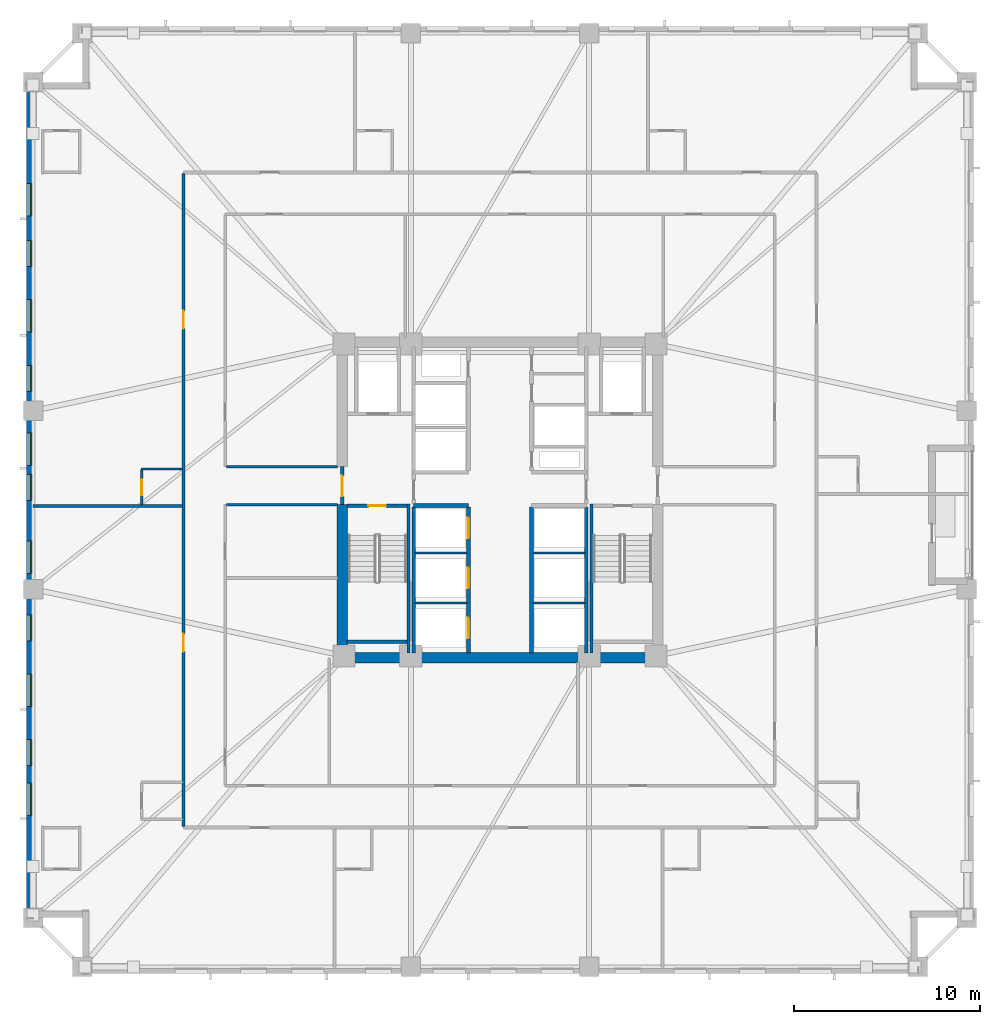
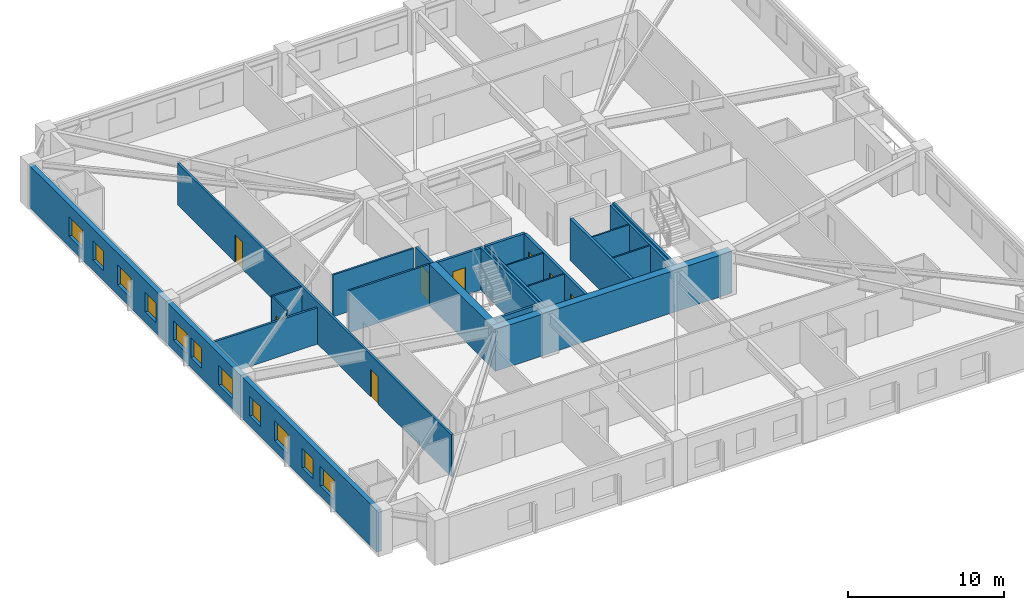
# One storey, part 3 of 11: 23 walls, 11 windows, 8 doors, 19 openings.
"""IFC4 building model written with IfcOpenShell, lengths in metres."""

from ifc_helpers import new_model, si_unit, direction, frame, frame_2d, origin, place, context, subcontext, project, spatial, rectangle, extrude, material, layer, layer_set, type_object, element, fill, save


model = new_model("IFC4")

# Units and contexts
model_context = context("Model", 3, precision=1e-05, world=origin(), true_north=direction((0.0, 1.0)))
body_context = subcontext(model_context, "Body", "Model", "MODEL_VIEW")
ifc_project = project(units=[si_unit("LENGTHUNIT", "METRE"), si_unit("AREAUNIT", "SQUARE_METRE"), si_unit("VOLUMEUNIT", "CUBIC_METRE"), si_unit("PLANEANGLEUNIT", "RADIAN"), si_unit("MASSUNIT", "GRAM", prefix="KILO")], contexts=[model_context])

# Site, building, storey
site_placement = place(None, origin())
site = spatial("IfcSite", under=ifc_project, at=site_placement, CompositionType="ELEMENT")
building_placement = place(site_placement, origin())
building = spatial("IfcBuilding", under=site, at=building_placement, Name="Cairnveth Concourse Tower", CompositionType="ELEMENT")
storey_placement = place(building_placement, frame((0.0, 0.0, 65.5)))
storey = spatial("IfcBuildingStorey", under=building, at=storey_placement, Name="L17", CompositionType="ELEMENT", Elevation=65.5)

# Wall, openings, doors
ifc_material_1 = material(Name="Gypsum Plasterboard Partition", Category="gypsum")
ifc_layer_1 = layer(ifc_material_1, 0.159912109375)
ifc_layer_set_1 = layer_set([ifc_layer_1], Name="Gypsum Plasterboard Partition")
wall_type_1 = type_object("IfcWallType", Name="ACOUSTIC PARTY WALL 180", PredefinedType="PARTITIONING", material=ifc_layer_set_1)
wall_1_placement = place(storey_placement, frame((34.949951171875, 21.4150390625, 0.0), z_axis=(0.0, 0.0, 1.0), x_axis=(0.0, 1.0, 0.0)))
wall_1 = element("IfcWall", 1, at=wall_1_placement, inside=storey, type_object=wall_type_1, Name="Interior Wall IW-L17-040", PredefinedType="PARTITIONING", context=body_context, shape_type="SweptSolid", body=[
    extrude(rectangle(XDim=35.169921875, YDim=0.159912109375, at=frame_2d((17.5849609375, 0.0))), origin(), (0.0, 0.0, 1.0), 3.280029296875),
])
opening_1_placement = place(wall_1_placement, frame((9.414306640625, 0.0, 0.0)))
opening_1 = element("IfcOpeningElement", 2, at=opening_1_placement, cuts=wall_1, Name="Opening ID09", PredefinedType="OPENING", context=body_context, shape_type="SweptSolid", body=[
    extrude(rectangle(XDim=0.9599609375, YDim=2.14990234375, at=frame_2d((0.47998046875, 1.074951171875))), frame((0.0, 0.08984375, 0.0), z_axis=(0.0, -1.0, 0.0), x_axis=(1.0, 0.0, 0.0)), (0.0, 0.0, 1.0), 0.179931640625),
])
opening_2_placement = place(wall_1_placement, frame((26.814208984375, 0.0, 0.0)))
opening_2 = element("IfcOpeningElement", 3, at=opening_2_placement, cuts=wall_1, Name="Opening ID09", PredefinedType="OPENING", context=body_context, shape_type="SweptSolid", body=[
    extrude(rectangle(XDim=0.9599609375, YDim=2.14990234375, at=frame_2d((0.47998046875, 1.074951171875))), frame((0.0, 0.08984375, 0.0), z_axis=(0.0, -1.0, 0.0), x_axis=(1.0, 0.0, 0.0)), (0.0, 0.0, 1.0), 0.179931640625),
])
ifc_material_2 = material(Name="Solid Core Hardwood Timber Leaf", Category="wood")
door_type_1 = type_object("IfcDoorType", Name="HOTEL ENTRANCE DOOR 960X2150", OperationType="NOTDEFINED", PredefinedType="DOOR", material=ifc_material_2)
door_1_placement = place(opening_1_placement, origin())
door_1 = element("IfcDoor", 4, at=door_1_placement, inside=storey, type_object=door_type_1, Name="Hotel Room Door L17-W1", OperationType="SINGLE_SWING_RIGHT", OverallHeight=2.14990234375, OverallWidth=0.9599609375, PredefinedType="DOOR", context=body_context, shape_type="SweptSolid", body=[
    extrude(rectangle(XDim=0.9599609375, YDim=2.14990234375, at=frame_2d((0.47998046875, 1.074951171875))), frame((0.0, 0.02490234375, 0.0), z_axis=(0.0, -1.0, 0.0), x_axis=(1.0, 0.0, 0.0)), (0.0, 0.0, 1.0), 0.050048828125),
])
fill(opening_1, door_1)
door_2_placement = place(opening_2_placement, origin())
door_2 = element("IfcDoor", 5, at=door_2_placement, inside=storey, type_object=door_type_1, Name="Hotel Room Door L17-W2", OperationType="SINGLE_SWING_RIGHT", OverallHeight=2.14990234375, OverallWidth=0.9599609375, PredefinedType="DOOR", context=body_context, shape_type="SweptSolid", body=[
    extrude(rectangle(XDim=0.9599609375, YDim=2.14990234375, at=frame_2d((0.47998046875, 1.074951171875))), frame((0.0, 0.02490234375, 0.0), z_axis=(0.0, -1.0, 0.0), x_axis=(1.0, 0.0, 0.0)), (0.0, 0.0, 1.0), 0.050048828125),
])
fill(opening_2, door_2)

# Walls
wall_2_placement = place(storey_placement, frame((26.844970703125, 38.66845703125, 0.0), z_axis=(0.0, 0.0, 1.0), x_axis=(1.0, 0.0, 0.0)))
element("IfcWall", 6, at=wall_2_placement, inside=storey, type_object=wall_type_1, Name="Interior Wall IW-L17-080", PredefinedType="PARTITIONING", context=body_context, shape_type="SweptSolid", body=[
    extrude(rectangle(XDim=8.0400390625, YDim=0.159912109375, at=frame_2d((4.02001953125, 0.0))), origin(), (0.0, 0.0, 1.0), 2.84912109375),
])
ifc_material_3 = material(Name="Concrete N80 (80 MPa)", Category="concrete")
ifc_layer_2 = layer(ifc_material_3, 0.550048828125)
ifc_layer_set_2 = layer_set([ifc_layer_2], Name="Concrete N80 (80 MPa)")
wall_type_2 = type_object("IfcWallType", Name="CORE SHEAR WALL 550", PredefinedType="SHEAR", material=ifc_layer_set_2)
wall_3_placement = place(storey_placement, frame((43.22509765625, 30.5, 0.0), z_axis=(0.0, 0.0, 1.0), x_axis=(1.0, 0.0, 0.0)))
element("IfcWall", 7, at=wall_3_placement, inside=storey, type_object=wall_type_2, Name="Core South Shear Wall L17", PredefinedType="SHEAR", context=body_context, shape_type="SweptSolid", body=[
    extrude(rectangle(XDim=17.5498046875, YDim=0.550048828125, at=frame_2d((8.77490234375, 0.0))), origin(), (0.0, 0.0, 1.0), 3.280029296875),
])
wall_4_placement = place(storey_placement, frame((43.5, 30.764892578125, 0.0), z_axis=(0.0, 0.0, 1.0), x_axis=(0.0, 1.0, 0.0)))
element("IfcWall", 8, at=wall_4_placement, inside=storey, type_object=wall_type_2, Name="Core West Shear Wall S L17", PredefinedType="SHEAR", context=body_context, shape_type="SweptSolid", body=[
    extrude(rectangle(XDim=7.985107421875, YDim=0.550048828125, at=frame_2d((3.99267578125, 0.0))), origin(), (0.0, 0.0, 1.0), 3.280029296875),
])
ifc_material_4 = material(Name="Concrete N50 (50 MPa)", Category="concrete")
ifc_layer_3 = layer(ifc_material_4, 0.179931640625)
ifc_layer_set_3 = layer_set([ifc_layer_3], Name="Concrete N50 (50 MPa)")
wall_type_3 = type_object("IfcWallType", Name="FIRE SHAFT WALL 180", PredefinedType="SOLIDWALL", material=ifc_layer_set_3)
for number, where, z_axis, x_axis, name in (
    (9, (47.35009765625, 30.760009765625, 0.0), (0.0, 0.0, 1.0), (0.0, 1.0, 0.0), "Interior Wall IW-L17-025"),
    (10, (56.64990234375, 30.760009765625, 0.0), (0.0, 0.0, 1.0), (0.0, 1.0, 0.0), "Interior Wall IW-L17-028"),
):
    element("IfcWall", number, at=place(storey_placement, frame(where, z_axis=z_axis, x_axis=x_axis)), inside=storey, type_object=wall_type_3, Name=name, PredefinedType="SOLIDWALL", context=body_context, shape_type="SweptSolid", body=[
        extrude(rectangle(XDim=7.85498046875, YDim=0.179931640625, at=frame_2d((3.927490234375, 0.0))), origin(), (0.0, 0.0, 1.0), 3.280029296875),
    ])

# Wall, opening, door
wall_5_placement = place(storey_placement, frame((43.764892578125, 38.68994140625, 0.0), z_axis=(0.0, 0.0, 1.0), x_axis=(1.0, 0.0, 0.0)))
wall_5 = element("IfcWall", 11, at=wall_5_placement, inside=storey, type_object=wall_type_3, Name="Stair ST-1 Shaft Wall NEAR L17", PredefinedType="SOLIDWALL", context=body_context, shape_type="SweptSolid", body=[
    extrude(rectangle(XDim=3.230224609375, YDim=0.179931640625, at=frame_2d((1.615234375, 0.0))), origin(), (0.0, 0.0, 1.0), 3.280029296875),
])
opening_3_placement = place(wall_5_placement, frame((1.139892578125, 0.0, 0.0)))
opening_3 = element("IfcOpeningElement", 12, at=opening_3_placement, cuts=wall_5, Name="Opening ID12", PredefinedType="OPENING", context=body_context, shape_type="SweptSolid", body=[
    extrude(rectangle(XDim=0.949951171875, YDim=2.14990234375, at=frame_2d((0.47509765625, 1.074951171875))), frame((0.0, 0.099853515625, 0.0), z_axis=(0.0, -1.0, 0.0), x_axis=(1.0, 0.0, 0.0)), (0.0, 0.0, 1.0), 0.199951171875),
])
ifc_material_5 = material(Name="Steel Grade 350", Category="steel")
door_type_2 = type_object("IfcDoorType", Name="FIRE STAIR DOOR 950X2150", OperationType="NOTDEFINED", PredefinedType="DOOR", material=ifc_material_5)
door_3_placement = place(opening_3_placement, origin())
door_3 = element("IfcDoor", 13, at=door_3_placement, inside=storey, type_object=door_type_2, Name="Stair ST-1 Fire Door L17", OperationType="SINGLE_SWING_LEFT", OverallHeight=2.14990234375, OverallWidth=0.949951171875, PredefinedType="DOOR", context=body_context, shape_type="SweptSolid", body=[
    extrude(rectangle(XDim=0.949951171875, YDim=2.14990234375, at=frame_2d((0.47509765625, 1.074951171875))), frame((0.0, 0.02490234375, 0.0), z_axis=(0.0, -1.0, 0.0), x_axis=(1.0, 0.0, 0.0)), (0.0, 0.0, 1.0), 0.050048828125),
])
fill(opening_3, door_3)

# Walls
wall_6_placement = place(storey_placement, frame((43.764892578125, 31.360107421875, 0.0), z_axis=(0.0, 0.0, 1.0), x_axis=(1.0, 0.0, 0.0)))
element("IfcWall", 14, at=wall_6_placement, inside=storey, type_object=wall_type_3, Name="Stair ST-1 Shaft Wall FAR L17", PredefinedType="SOLIDWALL", context=body_context, shape_type="SweptSolid", body=[
    extrude(rectangle(XDim=3.230224609375, YDim=0.179931640625, at=frame_2d((1.615234375, 0.0))), origin(), (0.0, 0.0, 1.0), 3.280029296875),
])
for number, where, z_axis, x_axis, name in (
    (15, (47.070068359375, 38.780029296875, 0.0), (0.0, 0.0, 1.0), (0.0, -1.0, 0.0), "Stair ST-1 Shaft Wall RGHT L17"),
    (16, (56.929931640625, 38.780029296875, 0.0), (0.0, 0.0, 1.0), (0.0, -1.0, 0.0), "Stair ST-2 Shaft Wall LEFT L17"),
):
    element("IfcWall", number, at=place(storey_placement, frame(where, z_axis=z_axis, x_axis=x_axis)), inside=storey, type_object=wall_type_3, Name=name, PredefinedType="SOLIDWALL", context=body_context, shape_type="SweptSolid", body=[
        extrude(rectangle(XDim=8.01708984375, YDim=0.179931640625, at=frame_2d((4.008544921875, 0.0))), origin(), (0.0, 0.0, 1.0), 3.280029296875),
    ])
ifc_layer_4 = layer(ifc_material_4, 0.199951171875)
ifc_layer_set_4 = layer_set([ifc_layer_4], Name="Concrete N50 (50 MPa)")
wall_type_4 = type_object("IfcWallType", Name="FIRE SHAFT WALL 200", PredefinedType="SOLIDWALL", material=ifc_layer_set_4)
wall_7_placement = place(storey_placement, frame((47.35009765625, 38.699951171875, 0.0), z_axis=(0.0, 0.0, 1.0), x_axis=(1.0, 0.0, 0.0)))
element("IfcWall", 17, at=wall_7_placement, inside=storey, type_object=wall_type_4, Name="Interior Wall IW-L17-007", PredefinedType="SOLIDWALL", context=body_context, shape_type="SweptSolid", body=[
    extrude(rectangle(XDim=2.949951171875, YDim=0.199951171875, at=frame_2d((1.47509765625, 0.0))), origin(), (0.0, 0.0, 1.0), 3.280029296875),
])

# Wall, openings, doors
wall_8_placement = place(storey_placement, frame((50.300048828125, 30.760009765625, 0.0), z_axis=(0.0, 0.0, 1.0), x_axis=(0.0, 1.0, 0.0)))
wall_8 = element("IfcWall", 18, at=wall_8_placement, inside=storey, type_object=wall_type_4, Name="Interior Wall IW-L17-011", PredefinedType="SOLIDWALL", context=body_context, shape_type="SweptSolid", body=[
    extrude(rectangle(XDim=7.85498046875, YDim=0.199951171875, at=frame_2d((3.927490234375, 0.0))), origin(), (0.0, 0.0, 1.0), 3.280029296875),
])
opening_4_placement = place(wall_8_placement, frame((0.7900390625, 0.0, 0.0)))
opening_4 = element("IfcOpeningElement", 19, at=opening_4_placement, cuts=wall_8, Name="Opening LD-1", PredefinedType="OPENING", context=body_context, shape_type="SweptSolid", body=[
    extrude(rectangle(XDim=1.10009765625, YDim=2.199951171875, at=frame_2d((0.550048828125, 1.10009765625))), frame((0.0, 0.10986328125, 0.0), z_axis=(0.0, -1.0, 0.0), x_axis=(1.0, 0.0, 0.0)), (0.0, 0.0, 1.0), 0.219970703125),
])
opening_5_placement = place(wall_8_placement, frame((3.489990234375, 0.0, 0.0)))
opening_5 = element("IfcOpeningElement", 20, at=opening_5_placement, cuts=wall_8, Name="Opening LD-1", PredefinedType="OPENING", context=body_context, shape_type="SweptSolid", body=[
    extrude(rectangle(XDim=1.10009765625, YDim=2.199951171875, at=frame_2d((0.550048828125, 1.10009765625))), frame((0.0, 0.10986328125, 0.0), z_axis=(0.0, -1.0, 0.0), x_axis=(1.0, 0.0, 0.0)), (0.0, 0.0, 1.0), 0.219970703125),
])
opening_6_placement = place(wall_8_placement, frame((6.18994140625, 0.0, 0.0)))
opening_6 = element("IfcOpeningElement", 21, at=opening_6_placement, cuts=wall_8, Name="Opening LD-1", PredefinedType="OPENING", context=body_context, shape_type="SweptSolid", body=[
    extrude(rectangle(XDim=1.10009765625, YDim=2.199951171875, at=frame_2d((0.550048828125, 1.10009765625))), frame((0.0, 0.10986328125, 0.0), z_axis=(0.0, -1.0, 0.0), x_axis=(1.0, 0.0, 0.0)), (0.0, 0.0, 1.0), 0.219970703125),
])
ifc_material_6 = material(Name="Architectural Bronze Anodised Aluminium 6063-T6", Category="aluminium")
door_type_3 = type_object("IfcDoorType", Name="LIFT LANDING DOOR 1100X2200", OperationType="SLIDING_TO_LEFT", PredefinedType="DOOR", material=ifc_material_6)
door_4_placement = place(opening_4_placement, origin())
door_4 = element("IfcDoor", 22, at=door_4_placement, inside=storey, type_object=door_type_3, Name="Lift PL1 Landing Door L17", OperationType="SLIDING_TO_LEFT", OverallHeight=2.199951171875, OverallWidth=1.10009765625, PredefinedType="DOOR", context=body_context, shape_type="SweptSolid", body=[
    extrude(rectangle(XDim=1.10009765625, YDim=2.199951171875, at=frame_2d((0.550048828125, 1.10009765625))), frame((0.0, 0.02490234375, 0.0), z_axis=(0.0, -1.0, 0.0), x_axis=(1.0, 0.0, 0.0)), (0.0, 0.0, 1.0), 0.050048828125),
])
fill(opening_4, door_4)
door_5_placement = place(opening_5_placement, origin())
door_5 = element("IfcDoor", 23, at=door_5_placement, inside=storey, type_object=door_type_3, Name="Lift PL2 Landing Door L17", OperationType="SLIDING_TO_LEFT", OverallHeight=2.199951171875, OverallWidth=1.10009765625, PredefinedType="DOOR", context=body_context, shape_type="SweptSolid", body=[
    extrude(rectangle(XDim=1.10009765625, YDim=2.199951171875, at=frame_2d((0.550048828125, 1.10009765625))), frame((0.0, 0.02490234375, 0.0), z_axis=(0.0, -1.0, 0.0), x_axis=(1.0, 0.0, 0.0)), (0.0, 0.0, 1.0), 0.050048828125),
])
fill(opening_5, door_5)
door_6_placement = place(opening_6_placement, origin())
door_6 = element("IfcDoor", 24, at=door_6_placement, inside=storey, type_object=door_type_3, Name="Lift PL3 Landing Door L17", OperationType="SLIDING_TO_LEFT", OverallHeight=2.199951171875, OverallWidth=1.10009765625, PredefinedType="DOOR", context=body_context, shape_type="SweptSolid", body=[
    extrude(rectangle(XDim=1.10009765625, YDim=2.199951171875, at=frame_2d((0.550048828125, 1.10009765625))), frame((0.0, 0.02490234375, 0.0), z_axis=(0.0, -1.0, 0.0), x_axis=(1.0, 0.0, 0.0)), (0.0, 0.0, 1.0), 0.050048828125),
])
fill(opening_6, door_6)

# Wall
wall_9_placement = place(storey_placement, frame((53.699951171875, 30.760009765625, 0.0), z_axis=(0.0, 0.0, 1.0), x_axis=(0.0, 1.0, 0.0)))
element("IfcWall", 25, at=wall_9_placement, inside=storey, type_object=wall_type_4, Name="Interior Wall IW-L17-012", PredefinedType="SOLIDWALL", context=body_context, shape_type="SweptSolid", body=[
    extrude(rectangle(XDim=7.85498046875, YDim=0.199951171875, at=frame_2d((3.927490234375, 0.0))), origin(), (0.0, 0.0, 1.0), 3.280029296875),
])

# Wall, opening, door
wall_10_placement = place(storey_placement, frame((43.5, 38.75, 0.0), z_axis=(0.0, 0.0, 1.0), x_axis=(0.0, 1.0, 0.0)))
wall_10 = element("IfcWall", 26, at=wall_10_placement, inside=storey, type_object=wall_type_4, Name="Interior Wall IW-L17-015", PredefinedType="SOLIDWALL", context=body_context, shape_type="SweptSolid", body=[
    extrude(rectangle(XDim=2.050048828125, YDim=0.199951171875, at=frame_2d((1.02490234375, 0.0))), origin(), (0.0, 0.0, 1.0), 3.280029296875),
])
opening_7_placement = place(wall_10_placement, frame((0.449951171875, 0.0, 0.0)))
opening_7 = element("IfcOpeningElement", 27, at=opening_7_placement, cuts=wall_10, Name="Opening ID06", PredefinedType="OPENING", context=body_context, shape_type="SweptSolid", body=[
    extrude(rectangle(XDim=1.10009765625, YDim=2.14990234375, at=frame_2d((0.550048828125, 1.074951171875))), frame((0.0, 0.10986328125, 0.0), z_axis=(0.0, -1.0, 0.0), x_axis=(1.0, 0.0, 0.0)), (0.0, 0.0, 1.0), 0.219970703125),
])
door_type_4 = type_object("IfcDoorType", Name="FIRE CORRIDOR DOOR 1100X2150", OperationType="NOTDEFINED", PredefinedType="DOOR", material=ifc_material_5)
door_7_placement = place(opening_7_placement, origin())
door_7 = element("IfcDoor", 28, at=door_7_placement, inside=storey, type_object=door_type_4, Name="West Wing to FF Lobby Door L17", OperationType="SINGLE_SWING_LEFT", OverallHeight=2.14990234375, OverallWidth=1.10009765625, PredefinedType="DOOR", context=body_context, shape_type="SweptSolid", body=[
    extrude(rectangle(XDim=1.10009765625, YDim=2.14990234375, at=frame_2d((0.550048828125, 1.074951171875))), frame((0.0, 0.02490234375, 0.0), z_axis=(0.0, -1.0, 0.0), x_axis=(1.0, 0.0, 0.0)), (0.0, 0.0, 1.0), 0.050048828125),
])
fill(opening_7, door_7)

# Walls
ifc_layer_5 = layer(ifc_material_1, 0.139892578125)
ifc_layer_set_5 = layer_set([ifc_layer_5], Name="Gypsum Plasterboard Partition")
wall_type_5 = type_object("IfcWallType", Name="GYPSUM STUD PARTITION 140", PredefinedType="PARTITIONING", material=ifc_layer_set_5)
for number, where, z_axis, x_axis, name in (
    (29, (37.2548828125, 38.75, 0.0), (0.0, 0.0, 1.0), (1.0, 0.0, 0.0), "Interior Wall IW-L17-046"),
    (30, (37.2548828125, 40.800048828125, 0.0), (0.0, 0.0, 1.0), (1.0, 0.0, 0.0), "Interior Wall IW-L17-047"),
):
    element("IfcWall", number, at=place(storey_placement, frame(where, z_axis=z_axis, x_axis=x_axis)), inside=storey, type_object=wall_type_5, Name=name, PredefinedType="PARTITIONING", context=body_context, shape_type="SweptSolid", body=[
        extrude(rectangle(XDim=5.985107421875, YDim=0.139892578125, at=frame_2d((2.99267578125, 0.0))), origin(), (0.0, 0.0, 1.0), 3.280029296875),
    ])
ifc_layer_6 = layer(ifc_material_1, 0.110107421875)
ifc_layer_set_6 = layer_set([ifc_layer_6], Name="Gypsum Plasterboard Partition")
wall_type_6 = type_object("IfcWallType", Name="SHAFT DIVIDER WALL 140", PredefinedType="PARTITIONING", material=ifc_layer_set_6)
for number, where, z_axis, x_axis, name in (
    (31, (47.425048828125, 33.449951171875, 0.0), (0.0, 0.0, 1.0), (1.0, 0.0, 0.0), "Interior Wall IW-L17-026"),
    (32, (47.425048828125, 36.14990234375, 0.0), (0.0, 0.0, 1.0), (1.0, 0.0, 0.0), "Interior Wall IW-L17-027"),
    (33, (53.784912109375, 33.449951171875, 0.0), (0.0, 0.0, 1.0), (1.0, 0.0, 0.0), "Interior Wall IW-L17-029"),
    (34, (53.784912109375, 36.14990234375, 0.0), (0.0, 0.0, 1.0), (1.0, 0.0, 0.0), "Interior Wall IW-L17-030"),
):
    element("IfcWall", number, at=place(storey_placement, frame(where, z_axis=z_axis, x_axis=x_axis)), inside=storey, type_object=wall_type_6, Name=name, PredefinedType="PARTITIONING", context=body_context, shape_type="SweptSolid", body=[
        extrude(rectangle(XDim=2.7900390625, YDim=0.110107421875, at=frame_2d((1.39501953125, 0.0))), origin(), (0.0, 0.0, 1.0), 3.280029296875),
    ])
ifc_layer_7 = layer(ifc_material_1, 0.1298828125)
ifc_layer_set_7 = layer_set([ifc_layer_7], Name="Gypsum Plasterboard Partition")
wall_type_7 = type_object("IfcWallType", Name="WET AREA PARTITION 140", PredefinedType="PLUMBINGWALL", material=ifc_layer_set_7)
wall_11_placement = place(storey_placement, frame((32.64990234375, 40.66845703125, 0.0), z_axis=(0.0, 0.0, 1.0), x_axis=(1.0, 0.0, 0.0)))
element("IfcWall", 35, at=wall_11_placement, inside=storey, type_object=wall_type_7, Name="Interior Wall IW-L17-081", PredefinedType="PLUMBINGWALL", context=body_context, shape_type="SweptSolid", body=[
    extrude(rectangle(XDim=2.235107421875, YDim=0.1298828125, at=frame_2d((1.11767578125, 0.0))), origin(), (0.0, 0.0, 1.0), 3.280029296875),
])

# Wall, opening, door
wall_12_placement = place(storey_placement, frame((32.699951171875, 38.7333984375, 0.0), z_axis=(0.0, 0.0, 1.0), x_axis=(0.0, 1.0, 0.0)))
wall_12 = element("IfcWall", 36, at=wall_12_placement, inside=storey, type_object=wall_type_7, Name="Interior Wall IW-L17-082", PredefinedType="PLUMBINGWALL", context=body_context, shape_type="SweptSolid", body=[
    extrude(rectangle(XDim=1.885009765625, YDim=0.1298828125, at=frame_2d((0.9423828125, 0.0))), origin(), (0.0, 0.0, 1.0), 3.280029296875),
])
opening_8_placement = place(wall_12_placement, frame((0.52490234375, 0.0, 0.0)))
opening_8 = element("IfcOpeningElement", 37, at=opening_8_placement, cuts=wall_12, Name="Opening ID22", PredefinedType="OPENING", context=body_context, shape_type="SweptSolid", body=[
    extrude(rectangle(XDim=0.820068359375, YDim=2.10009765625, at=frame_2d((0.41015625, 1.050048828125))), frame((0.0, 0.074951171875, 0.0), z_axis=(0.0, -1.0, 0.0), x_axis=(1.0, 0.0, 0.0)), (0.0, 0.0, 1.0), 0.14990234375),
])
door_type_5 = type_object("IfcDoorType", Name="INTERIOR WC DOOR 820X2100", OperationType="NOTDEFINED", PredefinedType="DOOR", material=ifc_material_2)
door_8_placement = place(opening_8_placement, origin())
door_8 = element("IfcDoor", 38, at=door_8_placement, inside=storey, type_object=door_type_5, Name="En-Suite Door L17-W2", OperationType="SINGLE_SWING_LEFT", OverallHeight=2.10009765625, OverallWidth=0.820068359375, PredefinedType="DOOR", context=body_context, shape_type="SweptSolid", body=[
    extrude(rectangle(XDim=0.820068359375, YDim=2.10009765625, at=frame_2d((0.41015625, 1.050048828125))), frame((0.0, 0.02490234375, 0.0), z_axis=(0.0, -1.0, 0.0), x_axis=(1.0, 0.0, 0.0)), (0.0, 0.0, 1.0), 0.050048828125),
])
fill(opening_8, door_8)

# Wall, openings, windows
ifc_material_7 = material(Name="Hawthorn Red-Ochre Fired Clay Brick Masonry", Category="masonry")
ifc_layer_8 = layer(ifc_material_7, 0.360107421875)
ifc_layer_set_8 = layer_set([ifc_layer_8], Name="Hawthorn Red-Ochre Fired Clay Brick Masonry")
wall_type_8 = type_object("IfcWallType", Name="ZONE 1 BRICK PIER SPANDREL WALL 360", PredefinedType="SOLIDWALL", material=ifc_layer_set_8)
wall_13_placement = place(storey_placement, frame((26.679931640625, 16.5, 0.0), z_axis=(0.0, 0.0, 1.0), x_axis=(0.0, 1.0, 0.0)))
wall_13 = element("IfcWall", 39, at=wall_13_placement, inside=storey, type_object=wall_type_8, Name="Exterior Wall EW-L17-S06", PredefinedType="SOLIDWALL", context=body_context, shape_type="SweptSolid", body=[
    extrude(rectangle(XDim=44.662109375, YDim=0.360107421875, at=frame_2d((22.3310546875, 0.0))), origin(), (0.0, 0.0, 1.0), 3.280029296875),
])
opening_9_placement = place(wall_13_placement, frame((5.505126953125, 0.0, 0.800048828125)))
opening_9 = element("IfcOpeningElement", 40, at=opening_9_placement, cuts=wall_13, Name="Opening W06", PredefinedType="OPENING", context=body_context, shape_type="SweptSolid", body=[
    extrude(rectangle(XDim=1.75, YDim=1.5439453125, at=frame_2d((0.875, 0.77197265625))), frame((0.0, 0.18994140625, 0.0), z_axis=(0.0, -1.0, 0.0), x_axis=(1.0, 0.0, 0.0)), (0.0, 0.0, 1.0), 0.380126953125),
])
opening_10_placement = place(wall_13_placement, frame((8.190185546875, 0.0, 0.800048828125)))
opening_10 = element("IfcOpeningElement", 41, at=opening_10_placement, cuts=wall_13, Name="Opening W05", PredefinedType="OPENING", context=body_context, shape_type="SweptSolid", body=[
    extrude(rectangle(XDim=1.39990234375, YDim=1.5439453125, at=frame_2d((0.699951171875, 0.77197265625))), frame((0.0, 0.18994140625, 0.0), z_axis=(0.0, -1.0, 0.0), x_axis=(1.0, 0.0, 0.0)), (0.0, 0.0, 1.0), 0.380126953125),
])
opening_11_placement = place(wall_13_placement, frame((11.37548828125, 0.0, 0.800048828125)))
opening_11 = element("IfcOpeningElement", 42, at=opening_11_placement, cuts=wall_13, Name="Opening W06", PredefinedType="OPENING", context=body_context, shape_type="SweptSolid", body=[
    extrude(rectangle(XDim=1.75, YDim=1.5439453125, at=frame_2d((0.875, 0.77197265625))), frame((0.0, 0.18994140625, 0.0), z_axis=(0.0, -1.0, 0.0), x_axis=(1.0, 0.0, 0.0)), (0.0, 0.0, 1.0), 0.380126953125),
])
opening_12_placement = place(wall_13_placement, frame((14.91064453125, 0.0, 0.800048828125)))
opening_12 = element("IfcOpeningElement", 43, at=opening_12_placement, cuts=wall_13, Name="Opening W05", PredefinedType="OPENING", context=body_context, shape_type="SweptSolid", body=[
    extrude(rectangle(XDim=1.39990234375, YDim=1.5439453125, at=frame_2d((0.699951171875, 0.77197265625))), frame((0.0, 0.18994140625, 0.0), z_axis=(0.0, -1.0, 0.0), x_axis=(1.0, 0.0, 0.0)), (0.0, 0.0, 1.0), 0.380126953125),
])
opening_13_placement = place(wall_13_placement, frame((18.5458984375, 0.0, 0.800048828125)))
opening_13 = element("IfcOpeningElement", 44, at=opening_13_placement, cuts=wall_13, Name="Opening W06", PredefinedType="OPENING", context=body_context, shape_type="SweptSolid", body=[
    extrude(rectangle(XDim=1.75, YDim=1.5439453125, at=frame_2d((0.875, 0.77197265625))), frame((0.0, 0.18994140625, 0.0), z_axis=(0.0, -1.0, 0.0), x_axis=(1.0, 0.0, 0.0)), (0.0, 0.0, 1.0), 0.380126953125),
])
opening_14_placement = place(wall_13_placement, frame((22.48095703125, 0.0, 0.800048828125)))
opening_14 = element("IfcOpeningElement", 45, at=opening_14_placement, cuts=wall_13, Name="Opening W05", PredefinedType="OPENING", context=body_context, shape_type="SweptSolid", body=[
    extrude(rectangle(XDim=1.39990234375, YDim=1.5439453125, at=frame_2d((0.699951171875, 0.77197265625))), frame((0.0, 0.18994140625, 0.0), z_axis=(0.0, -1.0, 0.0), x_axis=(1.0, 0.0, 0.0)), (0.0, 0.0, 1.0), 0.380126953125),
])
opening_15_placement = place(wall_13_placement, frame((24.3662109375, 0.0, 0.800048828125)))
opening_15 = element("IfcOpeningElement", 46, at=opening_15_placement, cuts=wall_13, Name="Opening W06", PredefinedType="OPENING", context=body_context, shape_type="SweptSolid", body=[
    extrude(rectangle(XDim=1.75, YDim=1.5439453125, at=frame_2d((0.875, 0.77197265625))), frame((0.0, 0.18994140625, 0.0), z_axis=(0.0, -1.0, 0.0), x_axis=(1.0, 0.0, 0.0)), (0.0, 0.0, 1.0), 0.380126953125),
])
opening_16_placement = place(wall_13_placement, frame((28.351318359375, 0.0, 0.800048828125)))
opening_16 = element("IfcOpeningElement", 47, at=opening_16_placement, cuts=wall_13, Name="Opening W05", PredefinedType="OPENING", context=body_context, shape_type="SweptSolid", body=[
    extrude(rectangle(XDim=1.39990234375, YDim=1.5439453125, at=frame_2d((0.699951171875, 0.77197265625))), frame((0.0, 0.18994140625, 0.0), z_axis=(0.0, -1.0, 0.0), x_axis=(1.0, 0.0, 0.0)), (0.0, 0.0, 1.0), 0.380126953125),
])
opening_17_placement = place(wall_13_placement, frame((31.53662109375, 0.0, 0.800048828125)))
opening_17 = element("IfcOpeningElement", 48, at=opening_17_placement, cuts=wall_13, Name="Opening W06", PredefinedType="OPENING", context=body_context, shape_type="SweptSolid", body=[
    extrude(rectangle(XDim=1.75, YDim=1.5439453125, at=frame_2d((0.875, 0.77197265625))), frame((0.0, 0.18994140625, 0.0), z_axis=(0.0, -1.0, 0.0), x_axis=(1.0, 0.0, 0.0)), (0.0, 0.0, 1.0), 0.380126953125),
])
opening_18_placement = place(wall_13_placement, frame((35.07177734375, 0.0, 0.800048828125)))
opening_18 = element("IfcOpeningElement", 49, at=opening_18_placement, cuts=wall_13, Name="Opening W05", PredefinedType="OPENING", context=body_context, shape_type="SweptSolid", body=[
    extrude(rectangle(XDim=1.39990234375, YDim=1.5439453125, at=frame_2d((0.699951171875, 0.77197265625))), frame((0.0, 0.18994140625, 0.0), z_axis=(0.0, -1.0, 0.0), x_axis=(1.0, 0.0, 0.0)), (0.0, 0.0, 1.0), 0.380126953125),
])
opening_19_placement = place(wall_13_placement, frame((37.806884765625, 0.0, 0.800048828125)))
opening_19 = element("IfcOpeningElement", 50, at=opening_19_placement, cuts=wall_13, Name="Opening W06", PredefinedType="OPENING", context=body_context, shape_type="SweptSolid", body=[
    extrude(rectangle(XDim=1.75, YDim=1.5439453125, at=frame_2d((0.875, 0.77197265625))), frame((0.0, 0.18994140625, 0.0), z_axis=(0.0, -1.0, 0.0), x_axis=(1.0, 0.0, 0.0)), (0.0, 0.0, 1.0), 0.380126953125),
])
ifc_material_8 = material(Name="Double Glazed Low-E Clear Glass", Category="glass")
window_type_1 = type_object("IfcWindowType", Name="DEEP-SET HOTEL CASEMENT WINDOW 1400X1750", PartitioningType="DOUBLE_PANEL_VERTICAL", PredefinedType="WINDOW", material=ifc_material_8)
window_1_placement = place(opening_10_placement, origin())
window_1 = element("IfcWindow", 51, at=window_1_placement, inside=storey, type_object=window_type_1, Name="Gothic Lancet Window L17-6-2", OverallHeight=1.5439453125, OverallWidth=1.39990234375, PartitioningType="SINGLE_PANEL", PredefinedType="WINDOW", context=body_context, shape_type="SweptSolid", body=[
    extrude(rectangle(XDim=1.39990234375, YDim=1.5439453125, at=frame_2d((0.699951171875, 0.77197265625))), frame((0.0, -0.050048828125, 0.0), z_axis=(0.0, -1.0, 0.0), x_axis=(1.0, 0.0, 0.0)), (0.0, 0.0, 1.0), 0.06005859375),
])
fill(opening_10, window_1)
window_2_placement = place(opening_12_placement, origin())
window_2 = element("IfcWindow", 52, at=window_2_placement, inside=storey, type_object=window_type_1, Name="Gothic Lancet Window L17-6-4", OverallHeight=1.5439453125, OverallWidth=1.39990234375, PartitioningType="SINGLE_PANEL", PredefinedType="WINDOW", context=body_context, shape_type="SweptSolid", body=[
    extrude(rectangle(XDim=1.39990234375, YDim=1.5439453125, at=frame_2d((0.699951171875, 0.77197265625))), frame((0.0, -0.050048828125, 0.0), z_axis=(0.0, -1.0, 0.0), x_axis=(1.0, 0.0, 0.0)), (0.0, 0.0, 1.0), 0.06005859375),
])
fill(opening_12, window_2)
window_3_placement = place(opening_14_placement, origin())
window_3 = element("IfcWindow", 53, at=window_3_placement, inside=storey, type_object=window_type_1, Name="Gothic Lancet Window L17-6-6", OverallHeight=1.5439453125, OverallWidth=1.39990234375, PartitioningType="SINGLE_PANEL", PredefinedType="WINDOW", context=body_context, shape_type="SweptSolid", body=[
    extrude(rectangle(XDim=1.39990234375, YDim=1.5439453125, at=frame_2d((0.699951171875, 0.77197265625))), frame((0.0, -0.050048828125, 0.0), z_axis=(0.0, -1.0, 0.0), x_axis=(1.0, 0.0, 0.0)), (0.0, 0.0, 1.0), 0.06005859375),
])
fill(opening_14, window_3)
window_4_placement = place(opening_16_placement, origin())
window_4 = element("IfcWindow", 54, at=window_4_placement, inside=storey, type_object=window_type_1, Name="Gothic Lancet Window L17-6-8", OverallHeight=1.5439453125, OverallWidth=1.39990234375, PartitioningType="SINGLE_PANEL", PredefinedType="WINDOW", context=body_context, shape_type="SweptSolid", body=[
    extrude(rectangle(XDim=1.39990234375, YDim=1.5439453125, at=frame_2d((0.699951171875, 0.77197265625))), frame((0.0, -0.050048828125, 0.0), z_axis=(0.0, -1.0, 0.0), x_axis=(1.0, 0.0, 0.0)), (0.0, 0.0, 1.0), 0.06005859375),
])
fill(opening_16, window_4)
window_5_placement = place(opening_18_placement, origin())
window_5 = element("IfcWindow", 55, at=window_5_placement, inside=storey, type_object=window_type_1, Name="Gothic Lancet Window L17-6-10", OverallHeight=1.5439453125, OverallWidth=1.39990234375, PartitioningType="SINGLE_PANEL", PredefinedType="WINDOW", context=body_context, shape_type="SweptSolid", body=[
    extrude(rectangle(XDim=1.39990234375, YDim=1.5439453125, at=frame_2d((0.699951171875, 0.77197265625))), frame((0.0, -0.050048828125, 0.0), z_axis=(0.0, -1.0, 0.0), x_axis=(1.0, 0.0, 0.0)), (0.0, 0.0, 1.0), 0.06005859375),
])
fill(opening_18, window_5)
window_type_2 = type_object("IfcWindowType", Name="DEEP-SET HOTEL SUITE WINDOW 1750X1800", PartitioningType="DOUBLE_PANEL_VERTICAL", PredefinedType="WINDOW", material=ifc_material_8)
window_6_placement = place(opening_9_placement, origin())
window_6 = element("IfcWindow", 56, at=window_6_placement, inside=storey, type_object=window_type_2, Name="Gothic Lancet Window L17-6-1", OverallHeight=1.5439453125, OverallWidth=1.75, PartitioningType="SINGLE_PANEL", PredefinedType="WINDOW", context=body_context, shape_type="SweptSolid", body=[
    extrude(rectangle(XDim=1.75, YDim=1.5439453125, at=frame_2d((0.875, 0.77197265625))), frame((0.0, -0.050048828125, 0.0), z_axis=(0.0, -1.0, 0.0), x_axis=(1.0, 0.0, 0.0)), (0.0, 0.0, 1.0), 0.06005859375),
])
fill(opening_9, window_6)
window_7_placement = place(opening_11_placement, origin())
window_7 = element("IfcWindow", 57, at=window_7_placement, inside=storey, type_object=window_type_2, Name="Gothic Lancet Window L17-6-3", OverallHeight=1.5439453125, OverallWidth=1.75, PartitioningType="SINGLE_PANEL", PredefinedType="WINDOW", context=body_context, shape_type="SweptSolid", body=[
    extrude(rectangle(XDim=1.75, YDim=1.5439453125, at=frame_2d((0.875, 0.77197265625))), frame((0.0, -0.050048828125, 0.0), z_axis=(0.0, -1.0, 0.0), x_axis=(1.0, 0.0, 0.0)), (0.0, 0.0, 1.0), 0.06005859375),
])
fill(opening_11, window_7)
window_8_placement = place(opening_13_placement, origin())
window_8 = element("IfcWindow", 58, at=window_8_placement, inside=storey, type_object=window_type_2, Name="Gothic Lancet Window L17-6-5", OverallHeight=1.5439453125, OverallWidth=1.75, PartitioningType="SINGLE_PANEL", PredefinedType="WINDOW", context=body_context, shape_type="SweptSolid", body=[
    extrude(rectangle(XDim=1.75, YDim=1.5439453125, at=frame_2d((0.875, 0.77197265625))), frame((0.0, -0.050048828125, 0.0), z_axis=(0.0, -1.0, 0.0), x_axis=(1.0, 0.0, 0.0)), (0.0, 0.0, 1.0), 0.06005859375),
])
fill(opening_13, window_8)
window_9_placement = place(opening_15_placement, origin())
window_9 = element("IfcWindow", 59, at=window_9_placement, inside=storey, type_object=window_type_2, Name="Gothic Lancet Window L17-6-7", OverallHeight=1.5439453125, OverallWidth=1.75, PartitioningType="SINGLE_PANEL", PredefinedType="WINDOW", context=body_context, shape_type="SweptSolid", body=[
    extrude(rectangle(XDim=1.75, YDim=1.5439453125, at=frame_2d((0.875, 0.77197265625))), frame((0.0, -0.050048828125, 0.0), z_axis=(0.0, -1.0, 0.0), x_axis=(1.0, 0.0, 0.0)), (0.0, 0.0, 1.0), 0.06005859375),
])
fill(opening_15, window_9)
window_10_placement = place(opening_17_placement, origin())
window_10 = element("IfcWindow", 60, at=window_10_placement, inside=storey, type_object=window_type_2, Name="Gothic Lancet Window L17-6-9", OverallHeight=1.5439453125, OverallWidth=1.75, PartitioningType="SINGLE_PANEL", PredefinedType="WINDOW", context=body_context, shape_type="SweptSolid", body=[
    extrude(rectangle(XDim=1.75, YDim=1.5439453125, at=frame_2d((0.875, 0.77197265625))), frame((0.0, -0.050048828125, 0.0), z_axis=(0.0, -1.0, 0.0), x_axis=(1.0, 0.0, 0.0)), (0.0, 0.0, 1.0), 0.06005859375),
])
fill(opening_17, window_10)
window_11_placement = place(opening_19_placement, origin())
window_11 = element("IfcWindow", 61, at=window_11_placement, inside=storey, type_object=window_type_2, Name="Gothic Lancet Window L17-6-11", OverallHeight=1.5439453125, OverallWidth=1.75, PartitioningType="SINGLE_PANEL", PredefinedType="WINDOW", context=body_context, shape_type="SweptSolid", body=[
    extrude(rectangle(XDim=1.75, YDim=1.5439453125, at=frame_2d((0.875, 0.77197265625))), frame((0.0, -0.050048828125, 0.0), z_axis=(0.0, -1.0, 0.0), x_axis=(1.0, 0.0, 0.0)), (0.0, 0.0, 1.0), 0.06005859375),
])
fill(opening_19, window_11)

save(model, "model.ifc")
